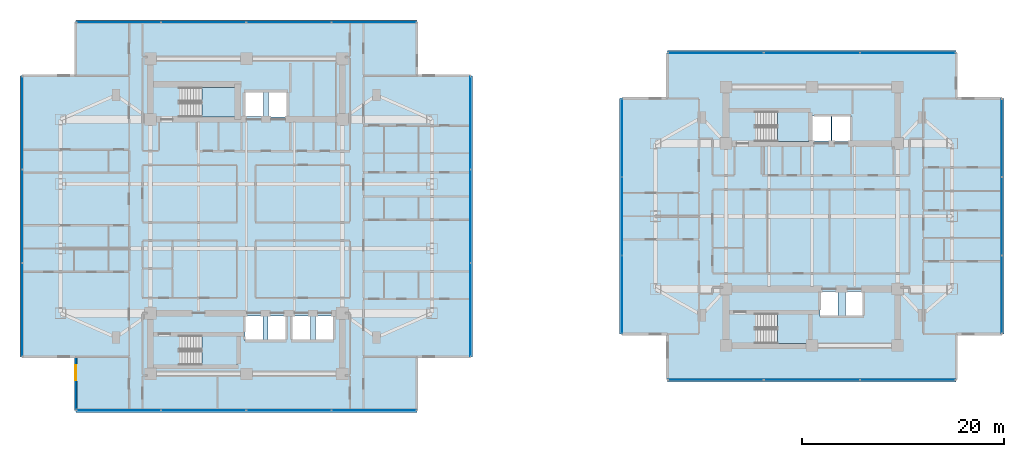
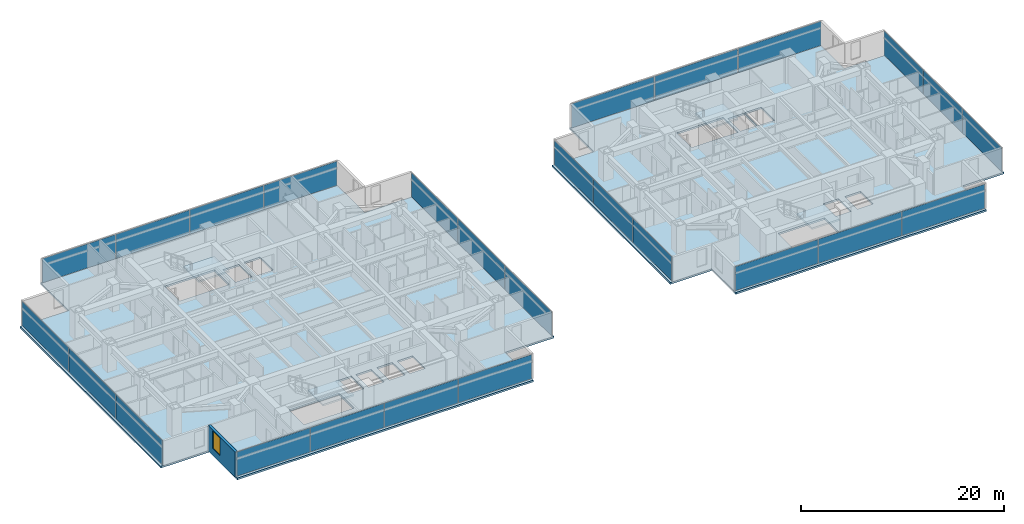
# One storey, part 12 of 25: 26 plates, 6 slabs, 1 wall, 1 window, 1 opening, 12 elements without a shape of their own.
"""IFC4 building model written with IfcOpenShell, lengths in metres."""

from ifc_helpers import new_model, si_unit, direction, frame, frame_2d, origin, origin_2d, place, context, subcontext, project, spatial, polyline, rectangle, outline, extrude, material, layer, layer_set, type_object, element, fill, aggregate, save


model = new_model("IFC4")

# Units and contexts
model_context = context("Model", 3, precision=1e-05, world=origin(), true_north=direction((0.0, 1.0)))
body_context = subcontext(model_context, "Body", "Model", "MODEL_VIEW")
ifc_project = project(units=[si_unit("LENGTHUNIT", "METRE"), si_unit("AREAUNIT", "SQUARE_METRE"), si_unit("VOLUMEUNIT", "CUBIC_METRE"), si_unit("PLANEANGLEUNIT", "RADIAN"), si_unit("MASSUNIT", "GRAM", prefix="KILO")], contexts=[model_context])

# Site, building, storey
site_placement = place(None, origin())
site = spatial("IfcSite", under=ifc_project, at=site_placement, CompositionType="ELEMENT")
building_placement = place(site_placement, origin())
building = spatial("IfcBuilding", under=site, at=building_placement, Name="Mirazonda Arch Towers", CompositionType="ELEMENT")
storey_placement = place(building_placement, frame((0.0, 0.0, 111.5)))
storey = spatial("IfcBuildingStorey", under=building, at=storey_placement, Name="L31", CompositionType="ELEMENT", Elevation=111.5)

# Curtain wall, plates
ifc_material_1 = material(Name="Anodised Aluminium and Low-E Glass", Category="aluminium")
curtain_wall_type = type_object("IfcCurtainWallType", Name="CW-HTL-UNIT", PredefinedType="NOTDEFINED", material=ifc_material_1)
curtain_wall_1_placement = place(storey_placement, origin())
curtain_wall_1 = element("IfcCurtainWall", 1, at=curtain_wall_1_placement, inside=storey, type_object=curtain_wall_type, Name="L31 T1 S Facade CW-L31-T1-S", PredefinedType="NOTDEFINED")
ifc_material_2 = material(Name="Insulated Low-E Solar Glass", Category="glass")
ifc_layer_1 = layer(ifc_material_2, 0.035888671875, Name="PAN-CW-HTL-UNIT")
ifc_layer_set_1 = layer_set([ifc_layer_1], Name="Insulated Low-E Solar Glass")
plate_type = type_object("IfcPlateType", Name="PAN-CW-HTL-UNIT", PredefinedType="CURTAIN_PANEL", material=ifc_layer_set_1)
plate_1_placement = place(storey_placement, frame((33.14501953125, 8.783935546875, 0.0751953125), z_axis=(0.0, 0.0, 1.0), x_axis=(-1.0, 0.0, 0.0)))
plate_1 = element("IfcPlate", 2, at=plate_1_placement, type_object=plate_type, Name="CW-112 panel 1.1", PredefinedType="CURTAIN_PANEL", context=body_context, shape_type="SweptSolid", body=[
    extrude(rectangle(XDim=8.330078125, YDim=0.035888671875, at=origin_2d()), origin(), (0.0, 0.0, 1.0), 2.909912109375),
])
plate_2_placement = place(storey_placement, frame((24.72119140625, 8.783935546875, 0.0751953125), z_axis=(0.0, 0.0, 1.0), x_axis=(-1.0, 0.0, 0.0)))
plate_2 = element("IfcPlate", 3, at=plate_2_placement, type_object=plate_type, Name="CW-112 panel 2.1", PredefinedType="CURTAIN_PANEL", context=body_context, shape_type="SweptSolid", body=[
    extrude(rectangle(XDim=8.367431640625, YDim=0.035888671875, at=origin_2d()), origin(), (0.0, 0.0, 1.0), 2.909912109375),
])
plate_3_placement = place(storey_placement, frame((16.27880859375, 8.783935546875, 0.0751953125), z_axis=(0.0, 0.0, 1.0), x_axis=(-1.0, 0.0, 0.0)))
plate_3 = element("IfcPlate", 4, at=plate_3_placement, type_object=plate_type, Name="CW-112 panel 3.1", PredefinedType="CURTAIN_PANEL", context=body_context, shape_type="SweptSolid", body=[
    extrude(rectangle(XDim=8.367431640625, YDim=0.035888671875, at=origin_2d()), origin(), (0.0, 0.0, 1.0), 2.909912109375),
])
plate_4_placement = place(storey_placement, frame((7.85498046875, 8.783935546875, 0.0751953125), z_axis=(0.0, 0.0, 1.0), x_axis=(-1.0, 0.0, 0.0)))
plate_4 = element("IfcPlate", 5, at=plate_4_placement, type_object=plate_type, Name="CW-112 panel 4.1", PredefinedType="CURTAIN_PANEL", context=body_context, shape_type="SweptSolid", body=[
    extrude(rectangle(XDim=8.330078125, YDim=0.035888671875, at=origin_2d()), origin(), (0.0, 0.0, 1.0), 2.909912109375),
])
aggregate(curtain_wall_1, [plate_1, plate_2, plate_3, plate_4])

curtain_wall_2_placement = place(storey_placement, origin())
curtain_wall_2 = element("IfcCurtainWall", 6, at=curtain_wall_2_placement, inside=storey, type_object=curtain_wall_type, Name="L31 T1 E Facade CW-L31-T1-E", PredefinedType="NOTDEFINED")
plate_5_placement = place(storey_placement, frame((42.68994140625, 18.74462890625, 0.0751953125), z_axis=(0.0, 0.0, 1.0), x_axis=(0.0, 1.0, 0.0)))
plate_5 = element("IfcPlate", 7, at=plate_5_placement, type_object=plate_type, Name="CW-112 panel 1.1", PredefinedType="CURTAIN_PANEL", context=body_context, shape_type="SweptSolid", body=[
    extrude(rectangle(XDim=9.16162109375, YDim=0.035888671875, at=origin_2d()), origin(), (0.0, 0.0, 1.0), 2.909912109375),
])
plate_6_placement = place(storey_placement, frame((42.68994140625, 28.0, 0.0751953125), z_axis=(0.0, 0.0, 1.0), x_axis=(0.0, 1.0, 0.0)))
plate_6 = element("IfcPlate", 8, at=plate_6_placement, type_object=plate_type, Name="CW-112 panel 2.1", PredefinedType="CURTAIN_PANEL", context=body_context, shape_type="SweptSolid", body=[
    extrude(rectangle(XDim=9.198974609375, YDim=0.035888671875, at=origin_2d()), origin(), (0.0, 0.0, 1.0), 2.909912109375),
])
plate_7_placement = place(storey_placement, frame((42.68994140625, 37.25537109375, 0.0751953125), z_axis=(0.0, 0.0, 1.0), x_axis=(0.0, 1.0, 0.0)))
plate_7 = element("IfcPlate", 9, at=plate_7_placement, type_object=plate_type, Name="CW-112 panel 3.1", PredefinedType="CURTAIN_PANEL", context=body_context, shape_type="SweptSolid", body=[
    extrude(rectangle(XDim=9.16162109375, YDim=0.035888671875, at=origin_2d()), origin(), (0.0, 0.0, 1.0), 2.909912109375),
])
aggregate(curtain_wall_2, [plate_5, plate_6, plate_7])

curtain_wall_3_placement = place(storey_placement, origin())
curtain_wall_3 = element("IfcCurtainWall", 10, at=curtain_wall_3_placement, inside=storey, type_object=curtain_wall_type, Name="L31 T1 N Facade CW-L31-T1-N", PredefinedType="NOTDEFINED")
plate_8_placement = place(storey_placement, frame((7.85498046875, 47.216064453125, 0.0751953125), z_axis=(0.0, 0.0, 1.0), x_axis=(1.0, 0.0, 0.0)))
plate_8 = element("IfcPlate", 11, at=plate_8_placement, type_object=plate_type, Name="CW-112 panel 1.1", PredefinedType="CURTAIN_PANEL", context=body_context, shape_type="SweptSolid", body=[
    extrude(rectangle(XDim=8.330078125, YDim=0.035888671875, at=origin_2d()), origin(), (0.0, 0.0, 1.0), 2.909912109375),
])
plate_9_placement = place(storey_placement, frame((16.27880859375, 47.216064453125, 0.0751953125), z_axis=(0.0, 0.0, 1.0), x_axis=(1.0, 0.0, 0.0)))
plate_9 = element("IfcPlate", 12, at=plate_9_placement, type_object=plate_type, Name="CW-112 panel 2.1", PredefinedType="CURTAIN_PANEL", context=body_context, shape_type="SweptSolid", body=[
    extrude(rectangle(XDim=8.367431640625, YDim=0.035888671875, at=origin_2d()), origin(), (0.0, 0.0, 1.0), 2.909912109375),
])
plate_10_placement = place(storey_placement, frame((24.72119140625, 47.216064453125, 0.0751953125), z_axis=(0.0, 0.0, 1.0), x_axis=(1.0, 0.0, 0.0)))
plate_10 = element("IfcPlate", 13, at=plate_10_placement, type_object=plate_type, Name="CW-112 panel 3.1", PredefinedType="CURTAIN_PANEL", context=body_context, shape_type="SweptSolid", body=[
    extrude(rectangle(XDim=8.367431640625, YDim=0.035888671875, at=origin_2d()), origin(), (0.0, 0.0, 1.0), 2.909912109375),
])
plate_11_placement = place(storey_placement, frame((33.14501953125, 47.216064453125, 0.0751953125), z_axis=(0.0, 0.0, 1.0), x_axis=(1.0, 0.0, 0.0)))
plate_11 = element("IfcPlate", 14, at=plate_11_placement, type_object=plate_type, Name="CW-112 panel 4.1", PredefinedType="CURTAIN_PANEL", context=body_context, shape_type="SweptSolid", body=[
    extrude(rectangle(XDim=8.330078125, YDim=0.035888671875, at=origin_2d()), origin(), (0.0, 0.0, 1.0), 2.909912109375),
])
aggregate(curtain_wall_3, [plate_8, plate_9, plate_10, plate_11])

curtain_wall_4_placement = place(storey_placement, origin())
curtain_wall_4 = element("IfcCurtainWall", 15, at=curtain_wall_4_placement, inside=storey, type_object=curtain_wall_type, Name="L31 T1 W Facade CW-L31-T1-W", PredefinedType="NOTDEFINED")
plate_12_placement = place(storey_placement, frame((-1.68994140625, 37.25537109375, 0.0751953125), z_axis=(0.0, 0.0, 1.0), x_axis=(0.0, -1.0, 0.0)))
plate_12 = element("IfcPlate", 16, at=plate_12_placement, type_object=plate_type, Name="CW-112 panel 1.1", PredefinedType="CURTAIN_PANEL", context=body_context, shape_type="SweptSolid", body=[
    extrude(rectangle(XDim=9.16162109375, YDim=0.035888671875, at=origin_2d()), origin(), (0.0, 0.0, 1.0), 2.909912109375),
])
plate_13_placement = place(storey_placement, frame((-1.68994140625, 28.0, 0.0751953125), z_axis=(0.0, 0.0, 1.0), x_axis=(0.0, -1.0, 0.0)))
plate_13 = element("IfcPlate", 17, at=plate_13_placement, type_object=plate_type, Name="CW-112 panel 2.1", PredefinedType="CURTAIN_PANEL", context=body_context, shape_type="SweptSolid", body=[
    extrude(rectangle(XDim=9.198974609375, YDim=0.035888671875, at=origin_2d()), origin(), (0.0, 0.0, 1.0), 2.909912109375),
])
plate_14_placement = place(storey_placement, frame((-1.68994140625, 18.74462890625, 0.0751953125), z_axis=(0.0, 0.0, 1.0), x_axis=(0.0, -1.0, 0.0)))
plate_14 = element("IfcPlate", 18, at=plate_14_placement, type_object=plate_type, Name="CW-112 panel 3.1", PredefinedType="CURTAIN_PANEL", context=body_context, shape_type="SweptSolid", body=[
    extrude(rectangle(XDim=9.16162109375, YDim=0.035888671875, at=origin_2d()), origin(), (0.0, 0.0, 1.0), 2.909912109375),
])
aggregate(curtain_wall_4, [plate_12, plate_13, plate_14])

curtain_wall_5_placement = place(storey_placement, origin())
curtain_wall_5 = element("IfcCurtainWall", 19, at=curtain_wall_5_placement, inside=storey, type_object=curtain_wall_type, Name="L31 T2 S Facade CW-L31-T2-S", PredefinedType="NOTDEFINED")
plate_15_placement = place(storey_placement, frame((86.00927734375, 11.8193359375, 0.0751953125), z_axis=(0.0, 0.0, 1.0), x_axis=(-1.0, 0.0, 0.0)))
plate_15 = element("IfcPlate", 20, at=plate_15_placement, type_object=plate_type, Name="CW-112 panel 1.1", PredefinedType="CURTAIN_PANEL", context=body_context, shape_type="SweptSolid", body=[
    extrude(rectangle(XDim=9.41552734375, YDim=0.035888671875, at=origin_2d()), origin(), (0.0, 0.0, 1.0), 2.909912109375),
])
plate_16_placement = place(storey_placement, frame((76.5, 11.8193359375, 0.0751953125), z_axis=(0.0, 0.0, 1.0), x_axis=(-1.0, 0.0, 0.0)))
plate_16 = element("IfcPlate", 21, at=plate_16_placement, type_object=plate_type, Name="CW-112 panel 2.1", PredefinedType="CURTAIN_PANEL", context=body_context, shape_type="SweptSolid", body=[
    extrude(rectangle(XDim=9.453125, YDim=0.035888671875, at=origin_2d()), origin(), (0.0, 0.0, 1.0), 2.909912109375),
])
plate_17_placement = place(storey_placement, frame((66.99072265625, 11.8193359375, 0.0751953125), z_axis=(0.0, 0.0, 1.0), x_axis=(-1.0, 0.0, 0.0)))
plate_17 = element("IfcPlate", 22, at=plate_17_placement, type_object=plate_type, Name="CW-112 panel 3.1", PredefinedType="CURTAIN_PANEL", context=body_context, shape_type="SweptSolid", body=[
    extrude(rectangle(XDim=9.41552734375, YDim=0.035888671875, at=origin_2d()), origin(), (0.0, 0.0, 1.0), 2.909912109375),
])
aggregate(curtain_wall_5, [plate_15, plate_16, plate_17])

curtain_wall_6_placement = place(storey_placement, origin())
curtain_wall_6 = element("IfcCurtainWall", 23, at=curtain_wall_6_placement, inside=storey, type_object=curtain_wall_type, Name="L31 T2 E Facade CW-L31-T2-E", PredefinedType="NOTDEFINED")
plate_18_placement = place(storey_placement, frame((95.30859375, 20.242431640625, 0.0751953125), z_axis=(0.0, 0.0, 1.0), x_axis=(0.0, 1.0, 0.0)))
plate_18 = element("IfcPlate", 24, at=plate_18_placement, type_object=plate_type, Name="CW-112 panel 1.1", PredefinedType="CURTAIN_PANEL", context=body_context, shape_type="SweptSolid", body=[
    extrude(rectangle(XDim=7.663818359375, YDim=0.035888671875, at=origin_2d()), origin(), (0.0, 0.0, 1.0), 2.909912109375),
])
plate_19_placement = place(storey_placement, frame((95.30859375, 28.0, 0.0751953125), z_axis=(0.0, 0.0, 1.0), x_axis=(0.0, 1.0, 0.0)))
plate_19 = element("IfcPlate", 25, at=plate_19_placement, type_object=plate_type, Name="CW-112 panel 2.1", PredefinedType="CURTAIN_PANEL", context=body_context, shape_type="SweptSolid", body=[
    extrude(rectangle(XDim=7.701171875, YDim=0.035888671875, at=origin_2d()), origin(), (0.0, 0.0, 1.0), 2.909912109375),
])
plate_20_placement = place(storey_placement, frame((95.30859375, 35.757568359375, 0.0751953125), z_axis=(0.0, 0.0, 1.0), x_axis=(0.0, 1.0, 0.0)))
plate_20 = element("IfcPlate", 26, at=plate_20_placement, type_object=plate_type, Name="CW-112 panel 3.1", PredefinedType="CURTAIN_PANEL", context=body_context, shape_type="SweptSolid", body=[
    extrude(rectangle(XDim=7.663818359375, YDim=0.035888671875, at=origin_2d()), origin(), (0.0, 0.0, 1.0), 2.909912109375),
])
aggregate(curtain_wall_6, [plate_18, plate_19, plate_20])

curtain_wall_7_placement = place(storey_placement, origin())
curtain_wall_7 = element("IfcCurtainWall", 27, at=curtain_wall_7_placement, inside=storey, type_object=curtain_wall_type, Name="L31 T2 N Facade CW-L31-T2-N", PredefinedType="NOTDEFINED")
plate_21_placement = place(storey_placement, frame((66.99072265625, 44.1806640625, 0.0751953125), z_axis=(0.0, 0.0, 1.0), x_axis=(1.0, 0.0, 0.0)))
plate_21 = element("IfcPlate", 28, at=plate_21_placement, type_object=plate_type, Name="CW-112 panel 1.1", PredefinedType="CURTAIN_PANEL", context=body_context, shape_type="SweptSolid", body=[
    extrude(rectangle(XDim=9.41552734375, YDim=0.035888671875, at=origin_2d()), origin(), (0.0, 0.0, 1.0), 2.909912109375),
])
plate_22_placement = place(storey_placement, frame((76.5, 44.1806640625, 0.0751953125), z_axis=(0.0, 0.0, 1.0), x_axis=(1.0, 0.0, 0.0)))
plate_22 = element("IfcPlate", 29, at=plate_22_placement, type_object=plate_type, Name="CW-112 panel 2.1", PredefinedType="CURTAIN_PANEL", context=body_context, shape_type="SweptSolid", body=[
    extrude(rectangle(XDim=9.453125, YDim=0.035888671875, at=origin_2d()), origin(), (0.0, 0.0, 1.0), 2.909912109375),
])
plate_23_placement = place(storey_placement, frame((86.00927734375, 44.1806640625, 0.0751953125), z_axis=(0.0, 0.0, 1.0), x_axis=(1.0, 0.0, 0.0)))
plate_23 = element("IfcPlate", 30, at=plate_23_placement, type_object=plate_type, Name="CW-112 panel 3.1", PredefinedType="CURTAIN_PANEL", context=body_context, shape_type="SweptSolid", body=[
    extrude(rectangle(XDim=9.41552734375, YDim=0.035888671875, at=origin_2d()), origin(), (0.0, 0.0, 1.0), 2.909912109375),
])
aggregate(curtain_wall_7, [plate_21, plate_22, plate_23])

curtain_wall_8_placement = place(storey_placement, origin())
curtain_wall_8 = element("IfcCurtainWall", 31, at=curtain_wall_8_placement, inside=storey, type_object=curtain_wall_type, Name="L31 T2 W Facade CW-L31-T2-W", PredefinedType="NOTDEFINED")
plate_24_placement = place(storey_placement, frame((57.69140625, 35.757568359375, 0.0751953125), z_axis=(0.0, 0.0, 1.0), x_axis=(0.0, -1.0, 0.0)))
plate_24 = element("IfcPlate", 32, at=plate_24_placement, type_object=plate_type, Name="CW-112 panel 1.1", PredefinedType="CURTAIN_PANEL", context=body_context, shape_type="SweptSolid", body=[
    extrude(rectangle(XDim=7.663818359375, YDim=0.035888671875, at=origin_2d()), origin(), (0.0, 0.0, 1.0), 2.909912109375),
])
plate_25_placement = place(storey_placement, frame((57.69140625, 28.0, 0.0751953125), z_axis=(0.0, 0.0, 1.0), x_axis=(0.0, -1.0, 0.0)))
plate_25 = element("IfcPlate", 33, at=plate_25_placement, type_object=plate_type, Name="CW-112 panel 2.1", PredefinedType="CURTAIN_PANEL", context=body_context, shape_type="SweptSolid", body=[
    extrude(rectangle(XDim=7.701171875, YDim=0.035888671875, at=origin_2d()), origin(), (0.0, 0.0, 1.0), 2.909912109375),
])
plate_26_placement = place(storey_placement, frame((57.69140625, 20.242431640625, 0.0751953125), z_axis=(0.0, 0.0, 1.0), x_axis=(0.0, -1.0, 0.0)))
plate_26 = element("IfcPlate", 34, at=plate_26_placement, type_object=plate_type, Name="CW-112 panel 3.1", PredefinedType="CURTAIN_PANEL", context=body_context, shape_type="SweptSolid", body=[
    extrude(rectangle(XDim=7.663818359375, YDim=0.035888671875, at=origin_2d()), origin(), (0.0, 0.0, 1.0), 2.909912109375),
])
aggregate(curtain_wall_8, [plate_24, plate_25, plate_26])

# Stair, slab
ifc_material_3 = material(Name="Concrete C40/50", Category="concrete")
stair_type = type_object("IfcStairType", Name="STAIR-CORE-1400", PredefinedType="HALF_TURN_STAIR", material=ifc_material_3)
stair_1_placement = place(storey_placement, origin())
stair_1 = element("IfcStair", 35, at=stair_1_placement, inside=storey, type_object=stair_type, Name="L31 Protected Exit Stair ST-T1N", PredefinedType="HALF_TURN_STAIR")
ifc_layer_2 = layer(ifc_material_3, 0.18994140625, Name="SLAB-LANDING-190")
ifc_layer_set_2 = layer_set([ifc_layer_2], Name="Concrete C40/50")
slab_type_1 = type_object("IfcSlabType", Name="SLAB-LANDING-190", PredefinedType="LANDING", material=ifc_layer_set_2)
slab_1_placement = place(storey_placement, frame((0.0, 0.0, 1.449951171875)))
slab_1 = element("IfcSlab", 36, at=slab_1_placement, type_object=slab_type_1, Name="ST-T1N landing 1", PredefinedType="LANDING", context=body_context, shape_type="SweptSolid", body=[
    extrude(outline(polyline([(16.090087890625, 37.820068359375), (19.60009765625, 37.820068359375), (19.60009765625, 40.760009765625), (16.090087890625, 40.760009765625), (16.090087890625, 37.820068359375)])), origin(), (0.0, 0.0, 1.0), 0.199951171875),
])
aggregate(stair_1, [slab_1])

stair_2_placement = place(storey_placement, origin())
stair_2 = element("IfcStair", 37, at=stair_2_placement, inside=storey, type_object=stair_type, Name="L31 Protected Exit Stair ST-T1S", PredefinedType="HALF_TURN_STAIR")
slab_2_placement = place(storey_placement, frame((0.0, 0.0, 1.449951171875)))
slab_2 = element("IfcSlab", 38, at=slab_2_placement, type_object=slab_type_1, Name="ST-T1S landing 1", PredefinedType="LANDING", context=body_context, shape_type="SweptSolid", body=[
    extrude(outline(polyline([(16.090087890625, 13.25), (19.60009765625, 13.25), (19.60009765625, 16.18994140625), (16.090087890625, 16.18994140625), (16.090087890625, 13.25)])), origin(), (0.0, 0.0, 1.0), 0.199951171875),
])
aggregate(stair_2, [slab_2])

stair_3_placement = place(storey_placement, origin())
stair_3 = element("IfcStair", 39, at=stair_3_placement, inside=storey, type_object=stair_type, Name="L31 Protected Exit Stair ST-T2N", PredefinedType="HALF_TURN_STAIR")
slab_3_placement = place(storey_placement, frame((0.0, 0.0, 1.449951171875)))
slab_3 = element("IfcSlab", 40, at=slab_3_placement, type_object=slab_type_1, Name="ST-T2N landing 1", PredefinedType="LANDING", context=body_context, shape_type="SweptSolid", body=[
    extrude(outline(polyline([(73.090087890625, 35.419921875), (76.22998046875, 35.419921875), (76.22998046875, 38.360107421875), (73.090087890625, 38.360107421875), (73.090087890625, 35.419921875)])), origin(), (0.0, 0.0, 1.0), 0.199951171875),
])
aggregate(stair_3, [slab_3])

stair_4_placement = place(storey_placement, origin())
stair_4 = element("IfcStair", 41, at=stair_4_placement, inside=storey, type_object=stair_type, Name="L31 Protected Exit Stair ST-T2S", PredefinedType="HALF_TURN_STAIR")
slab_4_placement = place(storey_placement, frame((0.0, 0.0, 1.449951171875)))
slab_4 = element("IfcSlab", 42, at=slab_4_placement, type_object=slab_type_1, Name="ST-T2S landing 1", PredefinedType="LANDING", context=body_context, shape_type="SweptSolid", body=[
    extrude(outline(polyline([(73.090087890625, 15.419921875), (76.22998046875, 15.419921875), (76.22998046875, 18.360107421875), (73.090087890625, 18.360107421875), (73.090087890625, 15.419921875)])), origin(), (0.0, 0.0, 1.0), 0.199951171875),
])
aggregate(stair_4, [slab_4])

# Slabs
ifc_layer_3 = layer(ifc_material_3, 0.219970703125, Name="SLAB-TWR-220")
ifc_layer_set_3 = layer_set([ifc_layer_3], Name="Concrete C40/50")
slab_type_2 = type_object("IfcSlabType", Name="SLAB-TWR-220", PredefinedType="FLOOR", material=ifc_layer_set_3)
slab_5_placement = place(storey_placement, frame((0.0, 0.0, -0.219970703125)))
element("IfcSlab", 43, at=slab_5_placement, inside=storey, type_object=slab_type_2, Name="L31 Tower 1 Floor Slab", PredefinedType="FLOOR", context=body_context, shape_type="SweptSolid", body=[
    extrude(outline(polyline([(3.614990234375, 8.56396484375), (37.385009765625, 8.56396484375), (37.385009765625, 14.089111328125), (42.909912109375, 14.089111328125), (42.909912109375, 41.910888671875), (37.385009765625, 41.910888671875), (37.385009765625, 47.43603515625), (3.614990234375, 47.43603515625), (3.614990234375, 41.910888671875), (-1.909912109375, 41.910888671875), (-1.909912109375, 14.089111328125), (3.614990234375, 14.089111328125), (3.614990234375, 8.56396484375)]), holes=[polyline([(27.360107421875, 18.139892578125), (29.139892578125, 18.139892578125), (29.139892578125, 15.659912109375), (27.360107421875, 15.659912109375), (27.360107421875, 18.139892578125)]), polyline([(25.06005859375, 18.139892578125), (26.840087890625, 18.139892578125), (26.840087890625, 15.659912109375), (25.06005859375, 15.659912109375), (25.06005859375, 18.139892578125)]), polyline([(22.7099609375, 40.389892578125), (24.590087890625, 40.389892578125), (24.590087890625, 37.81005859375), (22.7099609375, 37.81005859375), (22.7099609375, 40.389892578125)]), polyline([(22.659912109375, 18.139892578125), (24.43994140625, 18.139892578125), (24.43994140625, 15.659912109375), (22.659912109375, 15.659912109375), (22.659912109375, 18.139892578125)]), polyline([(20.31005859375, 40.340087890625), (22.18994140625, 40.340087890625), (22.18994140625, 37.860107421875), (20.31005859375, 37.860107421875), (20.31005859375, 40.340087890625)]), polyline([(20.360107421875, 18.139892578125), (22.139892578125, 18.139892578125), (22.139892578125, 15.659912109375), (20.360107421875, 15.659912109375), (20.360107421875, 18.139892578125)]), polyline([(13.925048828125, 13.25), (13.925048828125, 16.18994140625), (19.60009765625, 16.18994140625), (19.60009765625, 13.25), (13.925048828125, 13.25)]), polyline([(13.925048828125, 37.820068359375), (13.925048828125, 40.760009765625), (19.60009765625, 40.760009765625), (19.60009765625, 37.820068359375), (13.925048828125, 37.820068359375)])]), origin(), (0.0, 0.0, 1.0), 0.219970703125),
])
slab_6_placement = place(storey_placement, frame((0.0, 0.0, -0.219970703125)))
element("IfcSlab", 44, at=slab_6_placement, inside=storey, type_object=slab_type_2, Name="L31 Tower 2 Floor Slab", PredefinedType="FLOOR", context=body_context, shape_type="SweptSolid", body=[
    extrude(outline(polyline([(62.207763671875, 11.599365234375), (90.792236328125, 11.599365234375), (90.792236328125, 16.335693359375), (95.528564453125, 16.335693359375), (95.528564453125, 39.664306640625), (90.792236328125, 39.664306640625), (90.792236328125, 44.400634765625), (62.207763671875, 44.400634765625), (62.207763671875, 39.664306640625), (57.471435546875, 39.664306640625), (57.471435546875, 16.335693359375), (62.207763671875, 16.335693359375), (62.207763671875, 11.599365234375)]), holes=[polyline([(79.81005859375, 20.5400390625), (81.590087890625, 20.5400390625), (81.590087890625, 18.06005859375), (79.81005859375, 18.06005859375), (79.81005859375, 20.5400390625)]), polyline([(78.47998046875, 37.989990234375), (80.360107421875, 37.989990234375), (80.360107421875, 35.409912109375), (78.47998046875, 35.409912109375), (78.47998046875, 37.989990234375)]), polyline([(77.31005859375, 20.5400390625), (79.090087890625, 20.5400390625), (79.090087890625, 18.06005859375), (77.31005859375, 18.06005859375), (77.31005859375, 20.5400390625)]), polyline([(76.510009765625, 35.4599609375), (76.510009765625, 37.93994140625), (78.389892578125, 37.93994140625), (78.389892578125, 35.4599609375), (76.510009765625, 35.4599609375)]), polyline([(76.22998046875, 15.419921875), (70.925048828125, 15.419921875), (70.925048828125, 18.360107421875), (76.22998046875, 18.360107421875), (76.22998046875, 15.419921875)]), polyline([(70.925048828125, 35.419921875), (70.925048828125, 38.360107421875), (76.22998046875, 38.360107421875), (76.22998046875, 35.419921875), (70.925048828125, 35.419921875)])]), origin(), (0.0, 0.0, 1.0), 0.219970703125),
])

# Wall, opening, window
ifc_material_4 = material(Name="Precast Concrete C40/50", Category="concrete")
ifc_layer_4 = layer(ifc_material_4, 0.280029296875, Name="WALL-EXT-WALL-280")
ifc_layer_set_4 = layer_set([ifc_layer_4], Name="Precast Concrete C40/50")
wall_type = type_object("IfcWallType", Name="WALL-EXT-WALL-280", PredefinedType="SOLIDWALL", material=ifc_layer_set_4)
wall_placement = place(storey_placement, frame((3.614990234375, 14.089111328125, 0.0), z_axis=(0.0, 0.0, 1.0), x_axis=(0.0, -1.0, 0.0)))
wall = element("IfcWall", 45, at=wall_placement, inside=storey, type_object=wall_type, Name="L31 T1 Notched SW Corner Wall WL-L31-T1-CSW", PredefinedType="SOLIDWALL", context=body_context, shape_type="SweptSolid", body=[
    extrude(rectangle(XDim=5.30517578125, YDim=0.280029296875, at=frame_2d((2.652587890625, 0.0))), origin(), (0.0, 0.0, 1.0), 3.06005859375),
])
opening_placement = place(wall_placement, frame((0.85009765625, 0.0, 0.81005859375)))
opening = element("IfcOpeningElement", 46, at=opening_placement, cuts=wall, Name="Opening WN-120", PredefinedType="OPENING", context=body_context, shape_type="SweptSolid", body=[
    extrude(rectangle(XDim=1.5, YDim=2.10009765625, at=frame_2d((0.75, 1.050048828125))), frame((0.0, 0.14990234375, 0.0), z_axis=(0.0, -1.0, 0.0), x_axis=(1.0, 0.0, 0.0)), (0.0, 0.0, 1.0), 0.300048828125),
])
window_type = type_object("IfcWindowType", Name="WIN-HTL-1500x2100", PartitioningType="SINGLE_PANEL", PredefinedType="WINDOW", material=ifc_material_2)
window_placement = place(opening_placement, origin())
window = element("IfcWindow", 47, at=window_placement, inside=storey, type_object=window_type, Name="L31 Punched Facade Window WN-L31-T1-CSW", OverallHeight=2.10009765625, OverallWidth=1.5, PartitioningType="SINGLE_PANEL", PredefinedType="WINDOW", context=body_context, shape_type="SweptSolid", body=[
    extrude(rectangle(XDim=1.5, YDim=2.10009765625, at=frame_2d((0.75, 1.050048828125))), frame((0.0, 0.030029296875, 0.0), z_axis=(0.0, -1.0, 0.0), x_axis=(1.0, 0.0, 0.0)), (0.0, 0.0, 1.0), 0.06005859375),
])
fill(opening, window)

save(model, "model.ifc")
